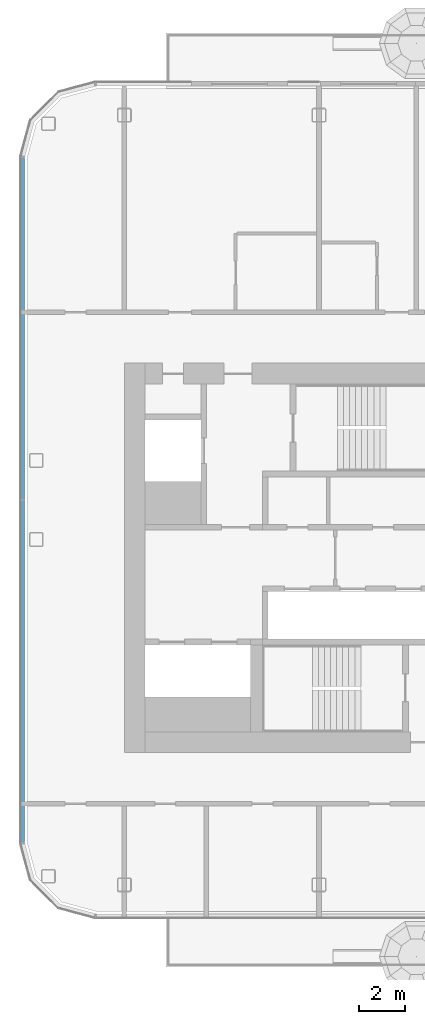
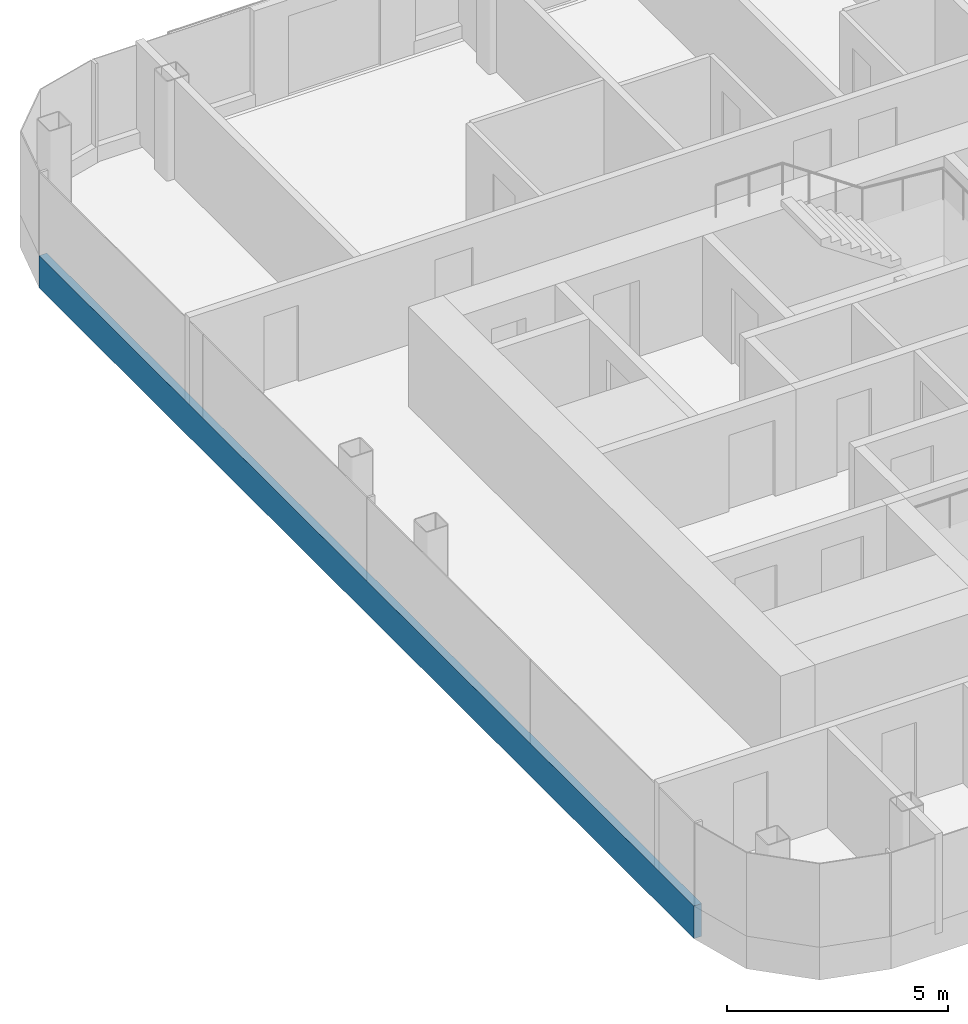
# One storey, part 3 of 28: 1 member, 1 element without a shape of its own.
"""IFC4 building model written with IfcOpenShell, lengths in metres."""

import ifcopenshell
import ifcopenshell.guid

model = None  # the IFC model being written
_history = None  # IfcOwnerHistory: only IFC2X3 demands one
_inside = {}  # id of a spatial element -> (the spatial element, [elements in it])
_under = {}  # id of a project, library or spatial element -> (it, [spatial elements below it])
_declared = {}  # id of a project -> (the project, [libraries it declares])
_typed = {}  # id of a type object -> (the type object, [elements of that type])
_made_of = {}  # id of a material, layer set ... -> (it, [elements and type objects made of it])


def new_model(schema):
    """Start an empty IFC model of exactly this schema.

    Asked for "IFC4X3", IfcOpenShell would pick the latest addendum, in which some entities
    have other attributes; the version numbers below select the first issue.
    IFC2X3 requires an IfcOwnerHistory on every rooted entity: one is made here for all.
    """
    global model, _history
    if schema == "IFC4X3":
        model = ifcopenshell.file(schema_version=(4, 3, 0, 0))
    else:
        model = ifcopenshell.file(schema=schema)
    _inside.clear()
    _under.clear()
    _declared.clear()
    _typed.clear()
    _made_of.clear()
    _history = None
    if model.schema == "IFC2X3":
        org = make("IfcOrganization", Name="unknown")
        user = make(
            "IfcPersonAndOrganization",
            ThePerson=make("IfcPerson", FamilyName="unknown"),
            TheOrganization=org,
        )
        app = make(
            "IfcApplication",
            ApplicationDeveloper=org,
            Version="unknown",
            ApplicationFullName="unknown",
            ApplicationIdentifier="unknown",
        )
        _history = make(
            "IfcOwnerHistory",
            OwningUser=user,
            OwningApplication=app,
            ChangeAction="ADDED",
            CreationDate=0,
        )
    return model


def make(cls, **values):
    """One entity of the class cls with the attributes given. An attribute that is None is left unset."""
    return model.create_entity(
        cls, **{name: value for name, value in values.items() if value is not None}
    )


def rooted(cls, **values):
    """An entity with a GlobalId (a new one), such as an element, a storey or a relation."""
    return make(cls, GlobalId=ifcopenshell.guid.new(), OwnerHistory=_history, **values)


def si_unit(unit_type, name, prefix=None):
    """IfcSIUnit, for example si_unit("LENGTHUNIT", "METRE", prefix="MILLI")."""
    return make("IfcSIUnit", UnitType=unit_type, Prefix=prefix, Name=name)


def assignment(units):
    """IfcUnitAssignment: the units of a project."""
    return None if units is None else make("IfcUnitAssignment", Units=units)


def point(xyz):
    """IfcCartesianPoint."""
    return None if xyz is None else make("IfcCartesianPoint", Coordinates=xyz)


def direction(xyz):
    """IfcDirection."""
    return None if xyz is None else make("IfcDirection", DirectionRatios=xyz)


def frame(location, z_axis=None, x_axis=None):
    """IfcAxis2Placement3D, a coordinate frame: its origin and axes. An axis left out is left unset."""
    return make(
        "IfcAxis2Placement3D",
        Location=point(location),
        Axis=direction(z_axis),
        RefDirection=direction(x_axis),
    )


def frame_2d(location, x_axis=None):
    """IfcAxis2Placement2D, a coordinate frame in the plane: its origin and x axis."""
    return make(
        "IfcAxis2Placement2D", Location=point(location), RefDirection=direction(x_axis)
    )


def origin():
    """The frame at (0, 0, 0) with its axes left unset."""
    return frame((0.0, 0.0, 0.0))


def origin_2d():
    """The frame at (0, 0) in the plane with its x axis left unset."""
    return frame_2d((0.0, 0.0))


def place(relative_to, where):
    """IfcLocalPlacement: puts the frame where relative to a parent placement (None: the world)."""
    return make(
        "IfcLocalPlacement", PlacementRelTo=relative_to, RelativePlacement=where
    )


def context(
    kind, dimensions, precision=None, world=None, true_north=None, identifier=None
):
    """IfcGeometricRepresentationContext, for example the 3D "Model" context."""
    return make(
        "IfcGeometricRepresentationContext",
        ContextIdentifier=identifier,
        ContextType=kind,
        CoordinateSpaceDimension=dimensions,
        Precision=precision,
        WorldCoordinateSystem=world,
        TrueNorth=true_north,
    )


def subcontext(parent, identifier, kind, view, scale=None):
    """IfcGeometricRepresentationSubContext, for example "Body" below "Model"."""
    return make(
        "IfcGeometricRepresentationSubContext",
        ContextIdentifier=identifier,
        ContextType=kind,
        ParentContext=parent,
        TargetScale=scale,
        TargetView=view,
    )


def project(units=None, contexts=None):
    """IfcProject with its units and contexts."""
    return rooted(
        "IfcProject",
        Name="project",
        RepresentationContexts=contexts,
        UnitsInContext=assignment(units),
    )


def spatial(cls, under=None, at=None, **own):
    """A site, building, storey or space (cls), placed at a placement, below another one or the project."""
    s = rooted(cls, ObjectPlacement=at, **own)
    if under is not None:
        _under.setdefault(under.id(), (under, []))[1].append(s)
    return s


def profile(cls, at=None, kind="AREA", **sizes):
    """A parametric profile (cls). Its sizes go by their IFC names, for example OverallWidth=200.0."""
    return make(cls, ProfileType=kind, Position=at, **sizes)


def rectangle(**sizes):
    """IfcRectangleProfileDef."""
    return profile("IfcRectangleProfileDef", **sizes)


def extrude(swept, where, along, depth):
    """IfcExtrudedAreaSolid: the profile swept, set in the frame where, extruded along a direction by depth."""
    return make(
        "IfcExtrudedAreaSolid",
        SweptArea=swept,
        Position=where,
        ExtrudedDirection=direction(along),
        Depth=depth,
    )


def shape(context_of_items, identifier, shape_type, items):
    """IfcShapeRepresentation: the items that make up one representation, for example the "Body"."""
    return make(
        "IfcShapeRepresentation",
        ContextOfItems=context_of_items,
        RepresentationIdentifier=identifier,
        RepresentationType=shape_type,
        Items=items,
    )


def material(Name=None, Category=None):
    """IfcMaterial."""
    return make("IfcMaterial", Name=Name, Category=Category)


def layer(
    of_material, thickness, ventilated=None, Name=None, Category=None, Priority=None
):
    """IfcMaterialLayer: one layer of a wall or slab, of a material (None: an air gap)."""
    return make(
        "IfcMaterialLayer",
        Material=of_material,
        LayerThickness=thickness,
        IsVentilated=ventilated,
        Name=Name,
        Category=Category,
        Priority=Priority,
    )


def layer_set(layers, Name=None):
    """IfcMaterialLayerSet."""
    return make("IfcMaterialLayerSet", MaterialLayers=layers, LayerSetName=Name)


def material_profile(
    of_material, cross_section, Name=None, Category=None, Priority=None
):
    """IfcMaterialProfile: a cross section and its material."""
    return make(
        "IfcMaterialProfile",
        Name=Name,
        Material=of_material,
        Profile=cross_section,
        Priority=Priority,
        Category=Category,
    )


def profile_set(profiles, Name=None, composite=None):
    """IfcMaterialProfileSet."""
    return make(
        "IfcMaterialProfileSet",
        Name=Name,
        MaterialProfiles=profiles,
        CompositeProfile=composite,
    )


def made_of(thing, what):
    """Note that an element or type object is made of a material, layer set ...; save() writes the relation."""
    if what is not None:
        _made_of.setdefault(what.id(), (what, []))[1].append(thing)
    return thing


def type_object(cls, material=None, **own):
    """A type object (cls), such as IfcWallType, which elements share."""
    return made_of(rooted(cls, **own), material)


def element(
    cls,
    number,
    at=None,
    inside=None,
    cuts=None,
    type_object=None,
    material=None,
    context=None,
    identifier="Body",
    shape_type=None,
    held_by="IfcProductDefinitionShape",
    body=None,
    shapes=None,
    **own,
):
    """One element of the class cls, such as IfcWall. Its Tag is "e" and its number.

    at: its placement. inside: the storey or other place that contains it. cuts: it is an
    opening in that element (IfcRelVoidsElement). A single representation is given by context,
    identifier, shape_type and body (its items); several are given by shapes. held_by: the class
    of the entity that holds the representations. save() writes the other relations.
    """
    e = rooted(cls, Tag="e%d" % number, ObjectPlacement=at, **own)
    if body is not None:
        shapes = [shape(context, identifier, shape_type, body)]
    if shapes is not None:
        e.Representation = make(held_by, Representations=shapes)
    if inside is not None:
        _inside.setdefault(inside.id(), (inside, []))[1].append(e)
    if cuts is not None:
        rooted(
            "IfcRelVoidsElement", RelatingBuildingElement=cuts, RelatedOpeningElement=e
        )
    if type_object is not None:
        _typed.setdefault(type_object.id(), (type_object, []))[1].append(e)
    return made_of(e, material)


def aggregate(whole, parts):
    """IfcRelAggregates: a whole, such as a stair, and the parts it consists of."""
    return rooted("IfcRelAggregates", RelatingObject=whole, RelatedObjects=parts)


def save(model, path):
    """Write the relations noted so far, then the file.

    IfcRelAggregates (storeys below a building ...), IfcRelContainedInSpatialStructure (elements
    in a storey), IfcRelDefinesByType, IfcRelAssociatesMaterial and IfcRelDeclares: one each for
    every whole, place, type object, material and project.
    """
    for whole, parts in _under.values():
        aggregate(whole, parts)
    for where, things in _inside.values():
        rooted(
            "IfcRelContainedInSpatialStructure",
            RelatedElements=things,
            RelatingStructure=where,
        )
    for kind, things in _typed.values():
        rooted("IfcRelDefinesByType", RelatedObjects=things, RelatingType=kind)
    for what, things in _made_of.values():
        rooted("IfcRelAssociatesMaterial", RelatedObjects=things, RelatingMaterial=what)
    for by, libraries in _declared.values():
        rooted("IfcRelDeclares", RelatingContext=by, RelatedDefinitions=libraries)
    model.write(path)


model = new_model("IFC4")

# Units and contexts
model_context = context("Model", 3, precision=1e-05, world=origin(), true_north=direction((0.0, 1.0)))
body_context = subcontext(model_context, "Body", "Model", "MODEL_VIEW")
ifc_project = project(units=[si_unit("LENGTHUNIT", "METRE"), si_unit("AREAUNIT", "SQUARE_METRE"), si_unit("VOLUMEUNIT", "CUBIC_METRE"), si_unit("PLANEANGLEUNIT", "RADIAN"), si_unit("MASSUNIT", "GRAM", prefix="KILO")], contexts=[model_context])

# Site, building, storey
site_placement = place(None, origin())
site = spatial("IfcSite", under=ifc_project, at=site_placement, CompositionType="ELEMENT")
building_placement = place(site_placement, origin())
building = spatial("IfcBuilding", under=site, at=building_placement, Name="Hakoniwa Tower and Hamabe Station Hall", CompositionType="ELEMENT")
storey_placement = place(building_placement, frame((0.0, 0.0, 193.0)))
storey = spatial("IfcBuildingStorey", under=building, at=storey_placement, Name="L54", CompositionType="ELEMENT", Elevation=193.0)

# Curtain wall, member
ifc_material_1 = material(Name="Dark low-e laminated glass", Category="glass")
ifc_layer = layer(ifc_material_1, 0.199951171875)
ifc_layer_set = layer_set([ifc_layer], Name="CW-1 UNITISED GUEST")
curtain_wall_type = type_object("IfcCurtainWallType", Name="CW-1 UNITISED GUEST", PredefinedType="NOTDEFINED", material=ifc_layer_set)
curtain_wall_placement = place(storey_placement, origin())
curtain_wall = element("IfcCurtainWall", 1, at=curtain_wall_placement, inside=storey, type_object=curtain_wall_type, Name="CW-1 curtain wall", PredefinedType="NOTDEFINED")
ifc_material_2 = material(Name="Aluminium 6063-T5 black anodised", Category="aluminium")
ifc_material_profile = material_profile(ifc_material_2, rectangle(XDim=0.199951171875, YDim=0.89990234375, at=origin_2d()), Name="CW SLAB-EDGE BAND 900X200")
ifc_profile_set = profile_set([ifc_material_profile], Name="Aluminium 6063-T5 black anodised")
member_type = type_object("IfcMemberType", Name="CW SLAB-EDGE BAND 900X200", PredefinedType="USERDEFINED", material=ifc_profile_set)
member_placement = place(storey_placement, frame((-38.0, 17.28955078125, -0.10009765625), z_axis=(0.0, -1.0, 0.0), x_axis=(1.0, 0.0, 0.0)))
member = element("IfcMember", 2, at=member_placement, type_object=member_type, Name="CW-1 transom", ObjectType="TRANSOM", PredefinedType="USERDEFINED", context=body_context, shape_type="SweptSolid", body=[
    extrude(rectangle(XDim=0.199951171875, YDim=0.89990234375, at=origin_2d()), origin(), (0.0, 0.0, 1.0), 29.5791015625),
])
aggregate(curtain_wall, [member])

save(model, "model.ifc")
